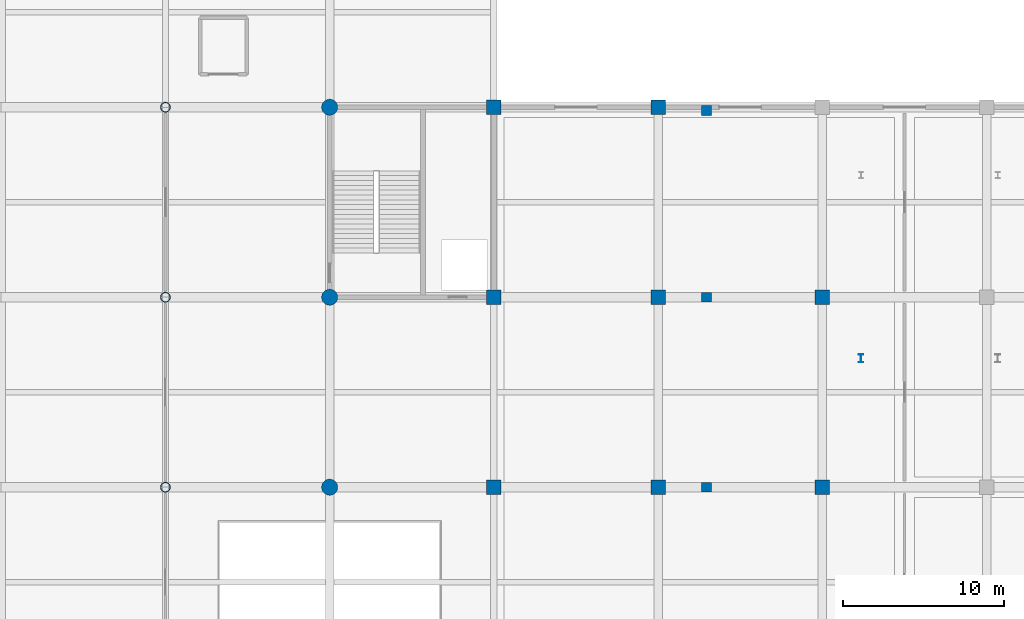
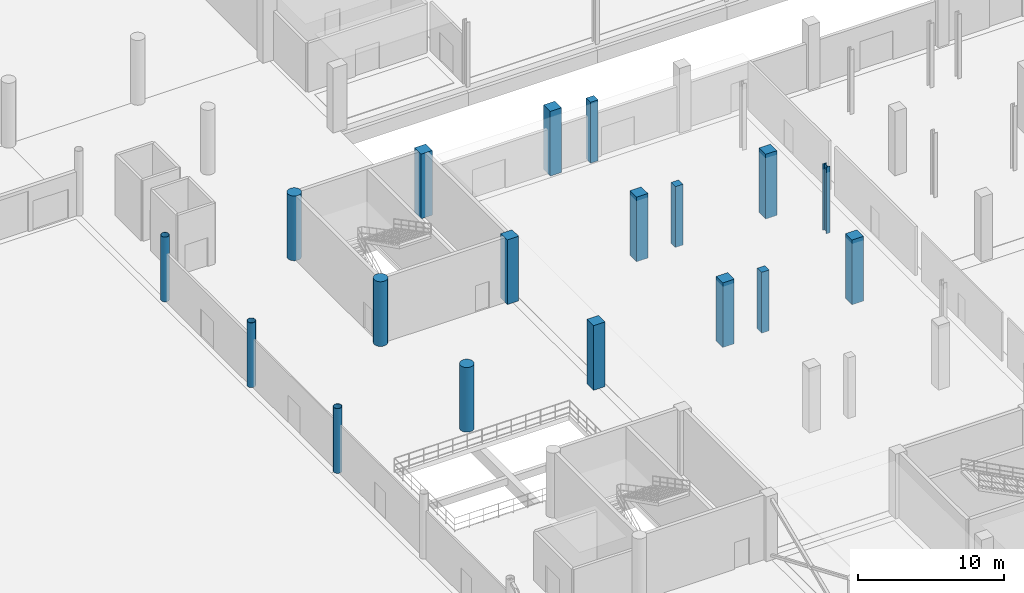
# One storey, part 14 of 124: 18 columns.
"""IFC4 building model written with IfcOpenShell, lengths in metres."""

from ifc_helpers import new_model, si_unit, direction, frame, origin, origin_2d, place, context, subcontext, project, spatial, rectangle, circle, hollow_circle, i_section, extrude, material, material_profile, profile_set, type_object, element, save


model = new_model("IFC4")

# Units and contexts
model_context = context("Model", 3, precision=1e-05, world=origin(), true_north=direction((0.0, 1.0)))
body_context = subcontext(model_context, "Body", "Model", "MODEL_VIEW")
ifc_project = project(units=[si_unit("LENGTHUNIT", "METRE"), si_unit("AREAUNIT", "SQUARE_METRE"), si_unit("VOLUMEUNIT", "CUBIC_METRE"), si_unit("PLANEANGLEUNIT", "RADIAN"), si_unit("MASSUNIT", "GRAM", prefix="KILO")], contexts=[model_context])

# Site, building, storey
site_placement = place(None, origin())
site = spatial("IfcSite", under=ifc_project, at=site_placement, CompositionType="ELEMENT")
building_placement = place(site_placement, origin())
building = spatial("IfcBuilding", under=site, at=building_placement, Name="Brelvane Convention Centre", CompositionType="ELEMENT")
storey_placement = place(building_placement, origin())
storey = spatial("IfcBuildingStorey", under=building, at=storey_placement, Name="L00", CompositionType="ELEMENT", Elevation=0.0)

# Columns
ifc_material_1 = material(Name="Concrete M50", Category="concrete")
ifc_material_profile_1 = material_profile(ifc_material_1, rectangle(XDim=0.89990234375, YDim=0.89990234375, at=origin_2d()), Name="RC 900x900")
ifc_profile_set_1 = profile_set([ifc_material_profile_1], Name="Concrete M50")
column_type_1 = type_object("IfcColumnType", Name="RC Column C-RC2 (RC 900x900)", PredefinedType="COLUMN", material=ifc_profile_set_1)
for number, where, z_axis, x_axis, name in (
    (1, (163.199951171875, 64.199951171875, 0.0), (0.0, 0.0, 1.0), (1.0, 0.0, 0.0), "Column 17-G (L00)"),
    (2, (163.199951171875, 76.0, 0.0), (0.0, 0.0, 1.0), (1.0, 0.0, 0.0), "Column 17-H (L00)"),
    (3, (163.199951171875, 87.800048828125, 0.0), (0.0, 0.0, 1.0), (1.0, 0.0, 0.0), "Column 17-J (L00)"),
    (4, (173.39990234375, 64.199951171875, 0.0), (0.0, 0.0, 1.0), (1.0, 0.0, 0.0), "Column 18-G (L00)"),
    (5, (173.39990234375, 76.0, 0.0), (0.0, 0.0, 1.0), (1.0, 0.0, 0.0), "Column 18-H (L00)"),
    (6, (173.39990234375, 87.800048828125, 0.0), (0.0, 0.0, 1.0), (1.0, 0.0, 0.0), "Column 18-J (L00)"),
    (7, (183.60009765625, 64.199951171875, 0.0), (0.0, 0.0, 1.0), (1.0, 0.0, 0.0), "Column 19-G (L00)"),
    (8, (183.60009765625, 76.0, 0.0), (0.0, 0.0, 1.0), (1.0, 0.0, 0.0), "Column 19-H (L00)"),
):
    element("IfcColumn", number, at=place(storey_placement, frame(where, z_axis=z_axis, x_axis=x_axis)), inside=storey, type_object=column_type_1, Name=name, PredefinedType="COLUMN", context=body_context, shape_type="SweptSolid", body=[
        extrude(rectangle(XDim=0.89990234375, YDim=0.89990234375, at=origin_2d()), origin(), (0.0, 0.0, 1.0), 5.39990234375),
    ])
ifc_material_2 = material(Name="Concrete M50", Category="concrete")
ifc_material_profile_2 = material_profile(ifc_material_2, rectangle(XDim=0.60009765625, YDim=0.60009765625, at=origin_2d()), Name="RC 600x600")
ifc_profile_set_2 = profile_set([ifc_material_profile_2], Name="Concrete M50")
column_type_2 = type_object("IfcColumnType", Name="RC Column C-RC4 (RC 600x600)", PredefinedType="COLUMN", material=ifc_profile_set_2)
for number, where, z_axis, x_axis, name in (
    (9, (176.39990234375, 64.199951171875, 0.0), (0.0, 0.0, 1.0), (1.0, 0.0, 0.0), "Plenary Gallery L00 Column 7"),
    (10, (176.39990234375, 76.0, 0.0), (0.0, 0.0, 1.0), (1.0, 0.0, 0.0), "Plenary Gallery L00 Column 8"),
    (11, (176.39990234375, 87.60009765625, 0.0), (0.0, 0.0, 1.0), (1.0, 0.0, 0.0), "Plenary Gallery L00 Column 9"),
):
    element("IfcColumn", number, at=place(storey_placement, frame(where, z_axis=z_axis, x_axis=x_axis)), inside=storey, type_object=column_type_2, Name=name, PredefinedType="COLUMN", context=body_context, shape_type="SweptSolid", body=[
        extrude(rectangle(XDim=0.60009765625, YDim=0.60009765625, at=origin_2d()), origin(), (0.0, 0.0, 1.0), 5.080078125),
    ])
ifc_material_3 = material(Name="Concrete M50", Category="concrete")
ifc_material_profile_3 = material_profile(ifc_material_3, circle(Radius=0.5, at=origin_2d()), Name="RC-CIRC D1000")
ifc_profile_set_3 = profile_set([ifc_material_profile_3], Name="Concrete M50")
column_type_3 = type_object("IfcColumnType", Name="RC Column C-RC6 (RC-CIRC D1000)", PredefinedType="COLUMN", material=ifc_profile_set_3)
for number, where, z_axis, x_axis, name in (
    (12, (153.0, 64.199951171875, 0.0), (0.0, 0.0, 1.0), (1.0, 0.0, 0.0), "Column 16-G (L00)"),
    (13, (153.0, 76.0, 0.0), (0.0, 0.0, 1.0), (1.0, 0.0, 0.0), "Column 16-H (L00)"),
    (14, (153.0, 87.800048828125, 0.0), (0.0, 0.0, 1.0), (1.0, 0.0, 0.0), "Column 16-J (L00)"),
):
    element("IfcColumn", number, at=place(storey_placement, frame(where, z_axis=z_axis, x_axis=x_axis)), inside=storey, type_object=column_type_3, Name=name, PredefinedType="COLUMN", context=body_context, shape_type="SweptSolid", body=[
        extrude(circle(Radius=0.5, at=origin_2d()), origin(), (0.0, 0.0, 1.0), 5.39990234375),
    ])
ifc_material_4 = material(Name="Steel E450 (450 MPa)", Category="steel")
ifc_material_profile_4 = material_profile(ifc_material_4, hollow_circle(Radius=0.304931640625, WallThickness=0.02490234375, at=origin_2d()), Name="CHS 610.0x25.0")
ifc_profile_set_4 = profile_set([ifc_material_profile_4], Name="Steel E450 (450 MPa)")
column_type_4 = type_object("IfcColumnType", Name="Steel Column C-ST1 (CHS 610.0x25.0)", PredefinedType="COLUMN", material=ifc_profile_set_4)
for number, where, z_axis, x_axis, name in (
    (15, (142.800048828125, 64.199951171875, 0.0), (0.0, 0.0, 1.0), (1.0, 0.0, 0.0), "Column 15-G (L00)"),
    (16, (142.800048828125, 76.0, 0.0), (0.0, 0.0, 1.0), (1.0, 0.0, 0.0), "Column 15-H (L00)"),
    (17, (142.800048828125, 87.800048828125, 0.0), (0.0, 0.0, 1.0), (1.0, 0.0, 0.0), "Column 15-J (L00)"),
):
    element("IfcColumn", number, at=place(storey_placement, frame(where, z_axis=z_axis, x_axis=x_axis)), inside=storey, type_object=column_type_4, Name=name, PredefinedType="COLUMN", context=body_context, shape_type="SweptSolid", body=[
        extrude(hollow_circle(Radius=0.304931640625, WallThickness=0.02490234375, at=origin_2d()), origin(), (0.0, 0.0, 1.0), 5.39990234375),
    ])
ifc_material_5 = material(Name="Steel E350 (350 MPa)", Category="steel")
ifc_material_profile_5 = material_profile(ifc_material_5, i_section(OverallWidth=0.300048828125, OverallDepth=0.5, WebThickness=0.014404296875, FlangeThickness=0.028076171875, FilletRadius=0.027099609375, at=origin_2d()), Name="WPB 500x300")
ifc_profile_set_5 = profile_set([ifc_material_profile_5], Name="Steel E350 (350 MPa)")
column_type_5 = type_object("IfcColumnType", Name="Steel Column C-ST6 (WPB 500x300)", PredefinedType="COLUMN", material=ifc_profile_set_5)
column_placement = place(storey_placement, frame((186.0, 72.199951171875, 0.0), z_axis=(0.0, 0.0, 1.0), x_axis=(1.0, 0.0, 0.0)))
element("IfcColumn", 18, at=column_placement, inside=storey, type_object=column_type_5, Name="Plenary Bowl Tier Column L00 L1-Y72", PredefinedType="COLUMN", context=body_context, shape_type="SweptSolid", body=[
    extrude(i_section(OverallWidth=0.300048828125, OverallDepth=0.5, WebThickness=0.014404296875, FlangeThickness=0.028076171875, FilletRadius=0.027099609375, at=origin_2d()), origin(), (0.0, 0.0, 1.0), 5.56005859375),
])

save(model, "model.ifc")
